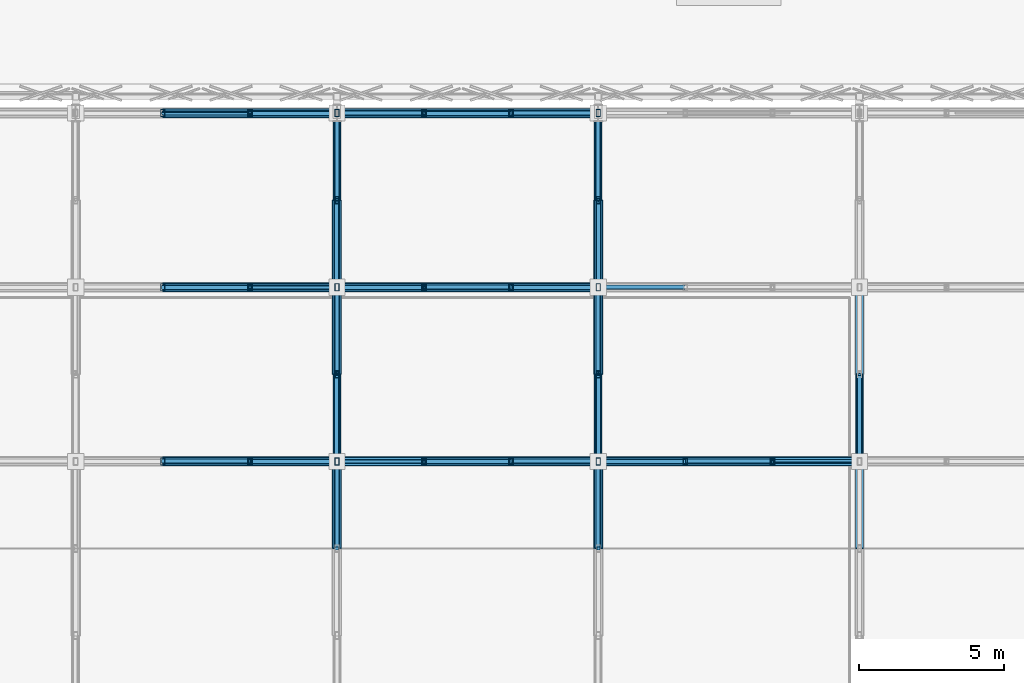
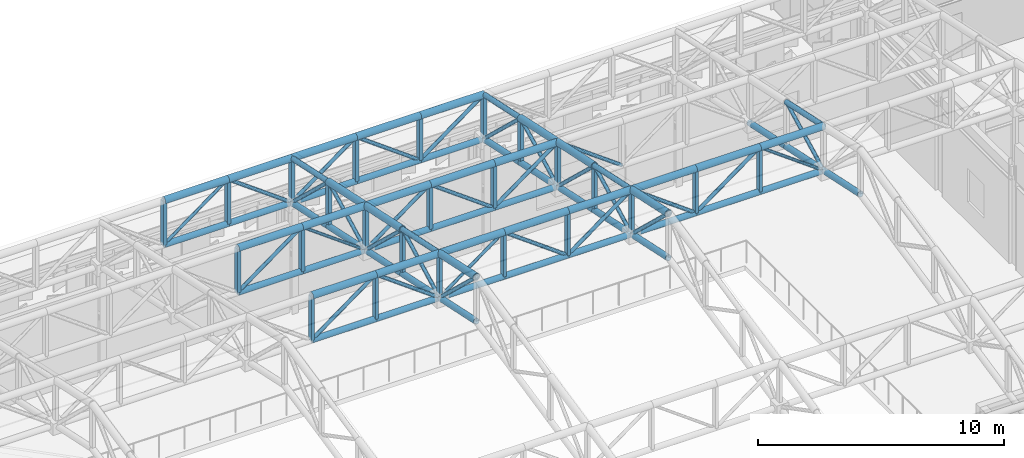
# One storey, part 21 of 112: 114 members.
"""IFC4 building model written with IfcOpenShell, lengths in metres."""

from ifc_helpers import new_model, si_unit, direction, frame, origin, origin_2d, place, context, subcontext, project, spatial, hollow_rectangle, hollow_circle, extrude, material, material_profile, profile_set, type_object, element, save


model = new_model("IFC4")

# Units and contexts
model_context = context("Model", 3, precision=1e-05, world=origin(), true_north=direction((0.0, 1.0)))
body_context = subcontext(model_context, "Body", "Model", "MODEL_VIEW")
ifc_project = project(units=[si_unit("LENGTHUNIT", "METRE"), si_unit("AREAUNIT", "SQUARE_METRE"), si_unit("VOLUMEUNIT", "CUBIC_METRE"), si_unit("PLANEANGLEUNIT", "RADIAN"), si_unit("MASSUNIT", "GRAM", prefix="KILO")], contexts=[model_context])

# Site, building, storey
site_placement = place(None, origin())
site = spatial("IfcSite", under=ifc_project, at=site_placement, CompositionType="ELEMENT")
building_placement = place(site_placement, origin())
building = spatial("IfcBuilding", under=site, at=building_placement, Name="Kaldris Quays Convention Centre", CompositionType="ELEMENT")
storey_placement = place(building_placement, frame((0.0, 0.0, 16.800048828125)))
storey = spatial("IfcBuildingStorey", under=building, at=storey_placement, Name="L03", CompositionType="ELEMENT", Elevation=16.800048828125)

# Members
ifc_material = material(Name="Steel S355J2H", Category="steel")
ifc_material_profile_1 = material_profile(ifc_material, hollow_circle(Radius=0.161865234375, WallThickness=0.01611328125, at=origin_2d()), Name="CHS 323.9x16")
ifc_profile_set_1 = profile_set([ifc_material_profile_1], Name="Steel S355J2H")
member_type_1 = type_object("IfcMemberType", Name="STRUCTURAL MEMBER SC03", PredefinedType="CHORD", material=ifc_profile_set_1)
for number, where, z_axis, x_axis, name in (
    (1, (50.0, 34.0, 10.09033203125), (1.0, 0.0, 0.0), (0.0, 1.0, 0.0), "SF-V3 Top Chord X 53"),
    (2, (53.0, 34.0, 10.09033203125), (1.0, 0.0, 0.0), (0.0, 1.0, 0.0), "SF-V3 Top Chord X 54"),
    (3, (56.0, 34.0, 10.09033203125), (1.0, 0.0, 0.0), (0.0, 1.0, 0.0), "SF-V3 Top Chord X 55"),
    (4, (59.0, 34.0, 10.09033203125), (1.0, 0.0, 0.0), (0.0, 1.0, 0.0), "SF-V3 Top Chord X 56"),
    (5, (62.0, 34.0, 10.09033203125), (1.0, 0.0, 0.0), (0.0, 1.0, 0.0), "SF-V3 Top Chord X 57"),
    (6, (65.0, 34.0, 10.09033203125), (1.0, 0.0, 0.0), (0.0, 1.0, 0.0), "SF-V3 Top Chord X 58"),
    (7, (68.0, 34.0, 10.09033203125), (1.0, 0.0, 0.0), (0.0, 1.0, 0.0), "SF-V3 Top Chord X 59"),
    (8, (71.0, 34.0, 10.09033203125), (1.0, 0.0, 0.0), (0.0, 1.0, 0.0), "SF-V3 Top Chord X 60"),
    (9, (50.0, 40.0, 8.810546875), (1.0, 0.0, 0.0), (0.0, 1.0, 0.0), "SF-V3 Top Chord X 74"),
    (10, (53.0, 40.0, 8.810546875), (1.0, 0.0, 0.0), (0.0, 1.0, 0.0), "SF-V3 Top Chord X 75"),
    (11, (56.0, 40.0, 8.810546875), (1.0, 0.0, 0.0), (0.0, 1.0, 0.0), "SF-V3 Top Chord X 76"),
    (12, (59.0, 40.0, 8.810546875), (1.0, 0.0, 0.0), (0.0, 1.0, 0.0), "SF-V3 Top Chord X 77"),
    (13, (62.0, 40.0, 8.810546875), (1.0, 0.0, 0.0), (0.0, 1.0, 0.0), "SF-V3 Top Chord X 78"),
    (14, (50.0, 46.0, 7.530517578125), (1.0, 0.0, 0.0), (0.0, 1.0, 0.0), "SF-V3 Top Chord X 95"),
    (15, (53.0, 46.0, 7.530517578125), (1.0, 0.0, 0.0), (0.0, 1.0, 0.0), "SF-V3 Top Chord X 96"),
    (16, (56.0, 46.0, 7.530517578125), (1.0, 0.0, 0.0), (0.0, 1.0, 0.0), "SF-V3 Top Chord X 97"),
    (17, (59.0, 46.0, 7.530517578125), (1.0, 0.0, 0.0), (0.0, 1.0, 0.0), "SF-V3 Top Chord X 98"),
    (18, (62.0, 46.0, 7.530517578125), (1.0, 0.0, 0.0), (0.0, 1.0, 0.0), "SF-V3 Top Chord X 99"),
):
    element("IfcMember", number, at=place(storey_placement, frame(where, z_axis=z_axis, x_axis=x_axis)), inside=storey, type_object=member_type_1, Name=name, PredefinedType="CHORD", context=body_context, shape_type="SweptSolid", body=[
        extrude(hollow_circle(Radius=0.161865234375, WallThickness=0.01611328125, at=origin_2d()), origin(), (0.0, 0.0, 1.0), 3.0),
    ])
member_1_placement = place(storey_placement, frame((56.0, 31.0, 10.73046875), z_axis=(0.0, 0.977983741211, -0.20868110103), x_axis=(-1.0, 0.0, 0.0)))
element("IfcMember", 19, at=member_1_placement, inside=storey, type_object=member_type_1, Name="SF-V3 Top Chord Y 151", PredefinedType="CHORD", context=body_context, shape_type="SweptSolid", body=[
    extrude(hollow_circle(Radius=0.161865234375, WallThickness=0.01611328125, at=origin_2d()), origin(), (0.0, 0.0, 1.0), 3.067626953125),
])
member_2_placement = place(storey_placement, frame((56.0, 37.0, 9.450439453125), z_axis=(0.0, 0.977999981478, -0.208604976518), x_axis=(-1.0, 0.0, 0.0)))
element("IfcMember", 20, at=member_2_placement, inside=storey, type_object=member_type_1, Name="SF-V3 Top Chord Y 153", PredefinedType="CHORD", context=body_context, shape_type="SweptSolid", body=[
    extrude(hollow_circle(Radius=0.161865234375, WallThickness=0.01611328125, at=origin_2d()), origin(), (0.0, 0.0, 1.0), 3.0673828125),
])
for number, where, z_axis, x_axis, name in (
    (21, (56.0, 40.0, 8.810546875), (0.0, 0.977983741211, -0.20868110103), (-1.0, 0.0, 0.0), "SF-V3 Top Chord Y 154"),
    (22, (65.0, 31.0, 10.73046875), (0.0, 0.977983741211, -0.20868110103), (-1.0, 0.0, 0.0), "SF-V3 Top Chord Y 161"),
):
    element("IfcMember", number, at=place(storey_placement, frame(where, z_axis=z_axis, x_axis=x_axis)), inside=storey, type_object=member_type_1, Name=name, PredefinedType="CHORD", context=body_context, shape_type="SweptSolid", body=[
        extrude(hollow_circle(Radius=0.161865234375, WallThickness=0.01611328125, at=origin_2d()), origin(), (0.0, 0.0, 1.0), 3.067626953125),
    ])
member_3_placement = place(storey_placement, frame((65.0, 37.0, 9.450439453125), z_axis=(0.0, 0.977999981478, -0.208604976518), x_axis=(-1.0, 0.0, 0.0)))
element("IfcMember", 23, at=member_3_placement, inside=storey, type_object=member_type_1, Name="SF-V3 Top Chord Y 163", PredefinedType="CHORD", context=body_context, shape_type="SweptSolid", body=[
    extrude(hollow_circle(Radius=0.161865234375, WallThickness=0.01611328125, at=origin_2d()), origin(), (0.0, 0.0, 1.0), 3.0673828125),
])
member_4_placement = place(storey_placement, frame((65.0, 40.0, 8.810546875), z_axis=(0.0, 0.977983741211, -0.20868110103), x_axis=(-1.0, 0.0, 0.0)))
element("IfcMember", 24, at=member_4_placement, inside=storey, type_object=member_type_1, Name="SF-V3 Top Chord Y 164", PredefinedType="CHORD", context=body_context, shape_type="SweptSolid", body=[
    extrude(hollow_circle(Radius=0.161865234375, WallThickness=0.01611328125, at=origin_2d()), origin(), (0.0, 0.0, 1.0), 3.067626953125),
])
ifc_material_profile_2 = material_profile(ifc_material, hollow_circle(Radius=0.136474609375, WallThickness=0.012451171875, at=origin_2d()), Name="CHS 273x12.5")
ifc_profile_set_2 = profile_set([ifc_material_profile_2], Name="Steel S355J2H")
member_type_2 = type_object("IfcMemberType", Name="STRUCTURAL MEMBER SC04", PredefinedType="CHORD", material=ifc_profile_set_2)
for number, where, z_axis, x_axis, name in (
    (25, (50.0, 34.0, 7.890380859375), (1.0, 0.0, 0.0), (0.0, 1.0, 0.0), "SF-V3 Bottom Chord X 53"),
    (26, (53.0, 34.0, 7.890380859375), (1.0, 0.0, 0.0), (0.0, 1.0, 0.0), "SF-V3 Bottom Chord X 54"),
    (27, (56.0, 34.0, 7.890380859375), (1.0, 0.0, 0.0), (0.0, 1.0, 0.0), "SF-V3 Bottom Chord X 55"),
    (28, (59.0, 34.0, 7.890380859375), (1.0, 0.0, 0.0), (0.0, 1.0, 0.0), "SF-V3 Bottom Chord X 56"),
    (29, (62.0, 34.0, 7.890380859375), (1.0, 0.0, 0.0), (0.0, 1.0, 0.0), "SF-V3 Bottom Chord X 57"),
    (30, (65.0, 34.0, 7.890380859375), (1.0, 0.0, 0.0), (0.0, 1.0, 0.0), "SF-V3 Bottom Chord X 58"),
    (31, (68.0, 34.0, 7.890380859375), (1.0, 0.0, 0.0), (0.0, 1.0, 0.0), "SF-V3 Bottom Chord X 59"),
    (32, (71.0, 34.0, 7.890380859375), (1.0, 0.0, 0.0), (0.0, 1.0, 0.0), "SF-V3 Bottom Chord X 60"),
    (33, (50.0, 40.0, 6.6103515625), (1.0, 0.0, 0.0), (0.0, 1.0, 0.0), "SF-V3 Bottom Chord X 74"),
    (34, (53.0, 40.0, 6.6103515625), (1.0, 0.0, 0.0), (0.0, 1.0, 0.0), "SF-V3 Bottom Chord X 75"),
    (35, (56.0, 40.0, 6.6103515625), (1.0, 0.0, 0.0), (0.0, 1.0, 0.0), "SF-V3 Bottom Chord X 76"),
    (36, (59.0, 40.0, 6.6103515625), (1.0, 0.0, 0.0), (0.0, 1.0, 0.0), "SF-V3 Bottom Chord X 77"),
    (37, (62.0, 40.0, 6.6103515625), (1.0, 0.0, 0.0), (0.0, 1.0, 0.0), "SF-V3 Bottom Chord X 78"),
    (38, (50.0, 46.0, 5.33056640625), (1.0, 0.0, 0.0), (0.0, 1.0, 0.0), "SF-V3 Bottom Chord X 95"),
    (39, (53.0, 46.0, 5.33056640625), (1.0, 0.0, 0.0), (0.0, 1.0, 0.0), "SF-V3 Bottom Chord X 96"),
    (40, (56.0, 46.0, 5.33056640625), (1.0, 0.0, 0.0), (0.0, 1.0, 0.0), "SF-V3 Bottom Chord X 97"),
    (41, (59.0, 46.0, 5.33056640625), (1.0, 0.0, 0.0), (0.0, 1.0, 0.0), "SF-V3 Bottom Chord X 98"),
    (42, (62.0, 46.0, 5.33056640625), (1.0, 0.0, 0.0), (0.0, 1.0, 0.0), "SF-V3 Bottom Chord X 99"),
):
    element("IfcMember", number, at=place(storey_placement, frame(where, z_axis=z_axis, x_axis=x_axis)), inside=storey, type_object=member_type_2, Name=name, PredefinedType="CHORD", context=body_context, shape_type="SweptSolid", body=[
        extrude(hollow_circle(Radius=0.136474609375, WallThickness=0.012451171875, at=origin_2d()), origin(), (0.0, 0.0, 1.0), 3.0),
    ])
member_5_placement = place(storey_placement, frame((56.0, 31.0, 8.530517578125), z_axis=(0.0, 0.977983741211, -0.20868110103), x_axis=(-1.0, 0.0, 0.0)))
element("IfcMember", 43, at=member_5_placement, inside=storey, type_object=member_type_2, Name="SF-V3 Bottom Chord Y 151", PredefinedType="CHORD", context=body_context, shape_type="SweptSolid", body=[
    extrude(hollow_circle(Radius=0.136474609375, WallThickness=0.012451171875, at=origin_2d()), origin(), (0.0, 0.0, 1.0), 3.067626953125),
])
member_6_placement = place(storey_placement, frame((56.0, 34.0, 7.890380859375), z_axis=(0.0, 0.977999981478, -0.208604976518), x_axis=(-1.0, 0.0, 0.0)))
element("IfcMember", 44, at=member_6_placement, inside=storey, type_object=member_type_2, Name="SF-V3 Bottom Chord Y 152", PredefinedType="CHORD", context=body_context, shape_type="SweptSolid", body=[
    extrude(hollow_circle(Radius=0.136474609375, WallThickness=0.012451171875, at=origin_2d()), origin(), (0.0, 0.0, 1.0), 3.0673828125),
])
member_7_placement = place(storey_placement, frame((56.0, 37.0, 7.25048828125), z_axis=(0.0, 0.977983741211, -0.20868110103), x_axis=(-1.0, 0.0, 0.0)))
element("IfcMember", 45, at=member_7_placement, inside=storey, type_object=member_type_2, Name="SF-V3 Bottom Chord Y 153", PredefinedType="CHORD", context=body_context, shape_type="SweptSolid", body=[
    extrude(hollow_circle(Radius=0.136474609375, WallThickness=0.012451171875, at=origin_2d()), origin(), (0.0, 0.0, 1.0), 3.067626953125),
])
for number, where, z_axis, x_axis, name in (
    (46, (56.0, 40.0, 6.6103515625), (0.0, 0.977999981478, -0.208604976518), (-1.0, 0.0, 0.0), "SF-V3 Bottom Chord Y 154"),
    (47, (56.0, 43.0, 5.970458984375), (0.0, 0.977999981478, -0.208604976518), (-1.0, 0.0, 0.0), "SF-V3 Bottom Chord Y 155"),
):
    element("IfcMember", number, at=place(storey_placement, frame(where, z_axis=z_axis, x_axis=x_axis)), inside=storey, type_object=member_type_2, Name=name, PredefinedType="CHORD", context=body_context, shape_type="SweptSolid", body=[
        extrude(hollow_circle(Radius=0.136474609375, WallThickness=0.012451171875, at=origin_2d()), origin(), (0.0, 0.0, 1.0), 3.0673828125),
    ])
member_8_placement = place(storey_placement, frame((65.0, 31.0, 8.530517578125), z_axis=(0.0, 0.977983741211, -0.20868110103), x_axis=(-1.0, 0.0, 0.0)))
element("IfcMember", 48, at=member_8_placement, inside=storey, type_object=member_type_2, Name="SF-V3 Bottom Chord Y 161", PredefinedType="CHORD", context=body_context, shape_type="SweptSolid", body=[
    extrude(hollow_circle(Radius=0.136474609375, WallThickness=0.012451171875, at=origin_2d()), origin(), (0.0, 0.0, 1.0), 3.067626953125),
])
member_9_placement = place(storey_placement, frame((65.0, 34.0, 7.890380859375), z_axis=(0.0, 0.977999981478, -0.208604976518), x_axis=(-1.0, 0.0, 0.0)))
element("IfcMember", 49, at=member_9_placement, inside=storey, type_object=member_type_2, Name="SF-V3 Bottom Chord Y 162", PredefinedType="CHORD", context=body_context, shape_type="SweptSolid", body=[
    extrude(hollow_circle(Radius=0.136474609375, WallThickness=0.012451171875, at=origin_2d()), origin(), (0.0, 0.0, 1.0), 3.0673828125),
])
member_10_placement = place(storey_placement, frame((65.0, 37.0, 7.25048828125), z_axis=(0.0, 0.977983741211, -0.20868110103), x_axis=(-1.0, 0.0, 0.0)))
element("IfcMember", 50, at=member_10_placement, inside=storey, type_object=member_type_2, Name="SF-V3 Bottom Chord Y 163", PredefinedType="CHORD", context=body_context, shape_type="SweptSolid", body=[
    extrude(hollow_circle(Radius=0.136474609375, WallThickness=0.012451171875, at=origin_2d()), origin(), (0.0, 0.0, 1.0), 3.067626953125),
])
for number, where, z_axis, x_axis, name in (
    (51, (65.0, 40.0, 6.6103515625), (0.0, 0.977999981478, -0.208604976518), (-1.0, 0.0, 0.0), "SF-V3 Bottom Chord Y 164"),
    (52, (65.0, 43.0, 5.970458984375), (0.0, 0.977999981478, -0.208604976518), (-1.0, 0.0, 0.0), "SF-V3 Bottom Chord Y 165"),
):
    element("IfcMember", number, at=place(storey_placement, frame(where, z_axis=z_axis, x_axis=x_axis)), inside=storey, type_object=member_type_2, Name=name, PredefinedType="CHORD", context=body_context, shape_type="SweptSolid", body=[
        extrude(hollow_circle(Radius=0.136474609375, WallThickness=0.012451171875, at=origin_2d()), origin(), (0.0, 0.0, 1.0), 3.0673828125),
    ])
member_11_placement = place(storey_placement, frame((74.0, 31.0, 8.530517578125), z_axis=(0.0, 0.977983741211, -0.20868110103), x_axis=(-1.0, 0.0, 0.0)))
element("IfcMember", 53, at=member_11_placement, inside=storey, type_object=member_type_2, Name="SF-V3 Bottom Chord Y 171", PredefinedType="CHORD", context=body_context, shape_type="SweptSolid", body=[
    extrude(hollow_circle(Radius=0.136474609375, WallThickness=0.012451171875, at=origin_2d()), origin(), (0.0, 0.0, 1.0), 3.067626953125),
])
member_12_placement = place(storey_placement, frame((74.0, 34.0, 7.890380859375), z_axis=(0.0, 0.977999981478, -0.208604976518), x_axis=(-1.0, 0.0, 0.0)))
element("IfcMember", 54, at=member_12_placement, inside=storey, type_object=member_type_2, Name="SF-V3 Bottom Chord Y 172", PredefinedType="CHORD", context=body_context, shape_type="SweptSolid", body=[
    extrude(hollow_circle(Radius=0.136474609375, WallThickness=0.012451171875, at=origin_2d()), origin(), (0.0, 0.0, 1.0), 3.0673828125),
])
member_13_placement = place(storey_placement, frame((74.0, 37.0, 7.25048828125), z_axis=(0.0, 0.977983741211, -0.20868110103), x_axis=(-1.0, 0.0, 0.0)))
element("IfcMember", 55, at=member_13_placement, inside=storey, type_object=member_type_2, Name="SF-V3 Bottom Chord Y 173", PredefinedType="CHORD", context=body_context, shape_type="SweptSolid", body=[
    extrude(hollow_circle(Radius=0.136474609375, WallThickness=0.012451171875, at=origin_2d()), origin(), (0.0, 0.0, 1.0), 3.067626953125),
])
ifc_material_profile_3 = material_profile(ifc_material, hollow_circle(Radius=0.122314453125, WallThickness=0.010009765625, at=origin_2d()), Name="CHS 244.5x10")
ifc_profile_set_3 = profile_set([ifc_material_profile_3], Name="Steel S355J2H")
member_type_3 = type_object("IfcMemberType", Name="STRUCTURAL MEMBER SC05", PredefinedType="CHORD", material=ifc_profile_set_3)
for number, where, z_axis, x_axis, name in (
    (56, (56.0, 34.0, 10.09033203125), (0.0, 0.977999981478, -0.208604976518), (-1.0, 0.0, 0.0), "SF-V3 Top Chord Y 152"),
    (57, (56.0, 43.0, 8.17041015625), (0.0, 0.977999981478, -0.208604976518), (-1.0, 0.0, 0.0), "SF-V3 Top Chord Y 155"),
    (58, (65.0, 34.0, 10.09033203125), (0.0, 0.977999981478, -0.208604976518), (-1.0, 0.0, 0.0), "SF-V3 Top Chord Y 162"),
    (59, (65.0, 43.0, 8.17041015625), (0.0, 0.977999981478, -0.208604976518), (-1.0, 0.0, 0.0), "SF-V3 Top Chord Y 165"),
    (60, (74.0, 34.0, 10.09033203125), (0.0, 0.977999981478, -0.208604976518), (-1.0, 0.0, 0.0), "SF-V3 Top Chord Y 172"),
):
    element("IfcMember", number, at=place(storey_placement, frame(where, z_axis=z_axis, x_axis=x_axis)), inside=storey, type_object=member_type_3, Name=name, PredefinedType="CHORD", context=body_context, shape_type="SweptSolid", body=[
        extrude(hollow_circle(Radius=0.122314453125, WallThickness=0.010009765625, at=origin_2d()), origin(), (0.0, 0.0, 1.0), 3.0673828125),
    ])
ifc_material_profile_4 = material_profile(ifc_material, hollow_circle(Radius=0.084228515625, WallThickness=0.008056640625, at=origin_2d()), Name="CHS 168.3x8")
ifc_profile_set_4 = profile_set([ifc_material_profile_4], Name="Steel S355J2H")
member_type_4 = type_object("IfcMemberType", Name="STRUCTURAL MEMBER SWB2", PredefinedType="BRACE", material=ifc_profile_set_4)
for number, where, z_axis, x_axis, name in (
    (61, (50.0, 34.0, 7.890380859375), (0.80641125493, 0.0, 0.591355128432), (0.0, 1.0, 0.0), "SF-V3 Web Diagonal X 53"),
    (62, (56.0, 34.0, 7.890380859375), (-0.80641125493, 0.0, 0.591355128432), (0.0, -1.0, 0.0), "SF-V3 Web Diagonal X 54"),
    (63, (62.0, 34.0, 7.890380859375), (-0.80641125493, 0.0, 0.591355128432), (0.0, -1.0, 0.0), "SF-V3 Web Diagonal X 56"),
    (64, (62.0, 34.0, 7.890380859375), (0.80641125493, 0.0, 0.591355128432), (0.0, 1.0, 0.0), "SF-V3 Web Diagonal X 57"),
    (65, (68.0, 34.0, 7.890380859375), (-0.80641125493, 0.0, 0.591355128432), (0.0, -1.0, 0.0), "SF-V3 Web Diagonal X 58"),
    (66, (68.0, 34.0, 7.890380859375), (0.80641125493, 0.0, 0.591355128432), (0.0, 1.0, 0.0), "SF-V3 Web Diagonal X 59"),
    (67, (50.0, 40.0, 6.6103515625), (0.806379959628, 0.0, 0.591397802423), (0.0, 1.0, 0.0), "SF-V3 Web Diagonal X 74"),
    (68, (56.0, 40.0, 6.6103515625), (0.806379959628, 0.0, 0.591397802423), (0.0, 1.0, 0.0), "SF-V3 Web Diagonal X 76"),
    (69, (62.0, 40.0, 6.6103515625), (-0.806379959628, 0.0, 0.591397802423), (0.0, -1.0, 0.0), "SF-V3 Web Diagonal X 77"),
    (70, (62.0, 40.0, 6.6103515625), (0.806379959628, 0.0, 0.591397802423), (0.0, 1.0, 0.0), "SF-V3 Web Diagonal X 78"),
    (71, (68.0, 40.0, 6.6103515625), (-0.806379959628, 0.0, 0.591397802423), (0.0, -1.0, 0.0), "SF-V3 Web Diagonal X 79"),
    (72, (56.0, 46.0, 5.33056640625), (-0.80641125493, 0.0, 0.591355128432), (0.0, -1.0, 0.0), "SF-V3 Web Diagonal X 96"),
    (73, (56.0, 46.0, 5.33056640625), (0.80641125493, 0.0, 0.591355128432), (0.0, 1.0, 0.0), "SF-V3 Web Diagonal X 97"),
    (74, (62.0, 46.0, 5.33056640625), (-0.80641125493, 0.0, 0.591355128432), (0.0, -1.0, 0.0), "SF-V3 Web Diagonal X 98"),
    (75, (62.0, 46.0, 5.33056640625), (0.80641125493, 0.0, 0.591355128432), (0.0, 1.0, 0.0), "SF-V3 Web Diagonal X 99"),
):
    element("IfcMember", number, at=place(storey_placement, frame(where, z_axis=z_axis, x_axis=x_axis)), inside=storey, type_object=member_type_4, Name=name, PredefinedType="BRACE", context=body_context, shape_type="SweptSolid", body=[
        extrude(hollow_circle(Radius=0.084228515625, WallThickness=0.008056640625, at=origin_2d()), origin(), (0.0, 0.0, 1.0), 3.72021484375),
    ])
member_14_placement = place(storey_placement, frame((56.0, 34.0, 7.890380859375), z_axis=(0.0, -0.726196449967, 0.687487247922), x_axis=(1.0, 0.0, 0.0)))
element("IfcMember", 76, at=member_14_placement, inside=storey, type_object=member_type_4, Name="SF-V3 Web Diagonal Y 151", PredefinedType="BRACE", context=body_context, shape_type="SweptSolid", body=[
    extrude(hollow_circle(Radius=0.084228515625, WallThickness=0.008056640625, at=origin_2d()), origin(), (0.0, 0.0, 1.0), 4.131103515625),
])
member_15_placement = place(storey_placement, frame((56.0, 34.0, 7.890380859375), z_axis=(0.0, 0.887209708306, 0.461366376634), x_axis=(-1.0, 0.0, 0.0)))
element("IfcMember", 77, at=member_15_placement, inside=storey, type_object=member_type_4, Name="SF-V3 Web Diagonal Y 152", PredefinedType="BRACE", context=body_context, shape_type="SweptSolid", body=[
    extrude(hollow_circle(Radius=0.084228515625, WallThickness=0.008056640625, at=origin_2d()), origin(), (0.0, 0.0, 1.0), 3.38134765625),
])
member_16_placement = place(storey_placement, frame((56.0, 40.0, 6.6103515625), z_axis=(0.0, -0.726196449967, 0.687487247922), x_axis=(1.0, 0.0, 0.0)))
element("IfcMember", 78, at=member_16_placement, inside=storey, type_object=member_type_4, Name="SF-V3 Web Diagonal Y 153", PredefinedType="BRACE", context=body_context, shape_type="SweptSolid", body=[
    extrude(hollow_circle(Radius=0.084228515625, WallThickness=0.008056640625, at=origin_2d()), origin(), (0.0, 0.0, 1.0), 4.131103515625),
])
member_17_placement = place(storey_placement, frame((56.0, 40.0, 6.6103515625), z_axis=(0.0, 0.887209708306, 0.461366376634), x_axis=(-1.0, 0.0, 0.0)))
element("IfcMember", 79, at=member_17_placement, inside=storey, type_object=member_type_4, Name="SF-V3 Web Diagonal Y 154", PredefinedType="BRACE", context=body_context, shape_type="SweptSolid", body=[
    extrude(hollow_circle(Radius=0.084228515625, WallThickness=0.008056640625, at=origin_2d()), origin(), (0.0, 0.0, 1.0), 3.38134765625),
])
member_18_placement = place(storey_placement, frame((56.0, 46.0, 5.33056640625), z_axis=(0.0, -0.72622595523, 0.687456080016), x_axis=(1.0, 0.0, 0.0)))
element("IfcMember", 80, at=member_18_placement, inside=storey, type_object=member_type_4, Name="SF-V3 Web Diagonal Y 155", PredefinedType="BRACE", context=body_context, shape_type="SweptSolid", body=[
    extrude(hollow_circle(Radius=0.084228515625, WallThickness=0.008056640625, at=origin_2d()), origin(), (0.0, 0.0, 1.0), 4.130859375),
])
member_19_placement = place(storey_placement, frame((65.0, 34.0, 7.890380859375), z_axis=(0.0, -0.726196449967, 0.687487247922), x_axis=(1.0, 0.0, 0.0)))
element("IfcMember", 81, at=member_19_placement, inside=storey, type_object=member_type_4, Name="SF-V3 Web Diagonal Y 161", PredefinedType="BRACE", context=body_context, shape_type="SweptSolid", body=[
    extrude(hollow_circle(Radius=0.084228515625, WallThickness=0.008056640625, at=origin_2d()), origin(), (0.0, 0.0, 1.0), 4.131103515625),
])
member_20_placement = place(storey_placement, frame((65.0, 34.0, 7.890380859375), z_axis=(0.0, 0.887209708306, 0.461366376634), x_axis=(-1.0, 0.0, 0.0)))
element("IfcMember", 82, at=member_20_placement, inside=storey, type_object=member_type_4, Name="SF-V3 Web Diagonal Y 162", PredefinedType="BRACE", context=body_context, shape_type="SweptSolid", body=[
    extrude(hollow_circle(Radius=0.084228515625, WallThickness=0.008056640625, at=origin_2d()), origin(), (0.0, 0.0, 1.0), 3.38134765625),
])
member_21_placement = place(storey_placement, frame((65.0, 40.0, 6.6103515625), z_axis=(0.0, -0.726196449967, 0.687487247922), x_axis=(1.0, 0.0, 0.0)))
element("IfcMember", 83, at=member_21_placement, inside=storey, type_object=member_type_4, Name="SF-V3 Web Diagonal Y 163", PredefinedType="BRACE", context=body_context, shape_type="SweptSolid", body=[
    extrude(hollow_circle(Radius=0.084228515625, WallThickness=0.008056640625, at=origin_2d()), origin(), (0.0, 0.0, 1.0), 4.131103515625),
])
member_22_placement = place(storey_placement, frame((65.0, 40.0, 6.6103515625), z_axis=(0.0, 0.887209708306, 0.461366376634), x_axis=(-1.0, 0.0, 0.0)))
element("IfcMember", 84, at=member_22_placement, inside=storey, type_object=member_type_4, Name="SF-V3 Web Diagonal Y 164", PredefinedType="BRACE", context=body_context, shape_type="SweptSolid", body=[
    extrude(hollow_circle(Radius=0.084228515625, WallThickness=0.008056640625, at=origin_2d()), origin(), (0.0, 0.0, 1.0), 3.38134765625),
])
member_23_placement = place(storey_placement, frame((65.0, 46.0, 5.33056640625), z_axis=(0.0, -0.72622595523, 0.687456080016), x_axis=(1.0, 0.0, 0.0)))
element("IfcMember", 85, at=member_23_placement, inside=storey, type_object=member_type_4, Name="SF-V3 Web Diagonal Y 165", PredefinedType="BRACE", context=body_context, shape_type="SweptSolid", body=[
    extrude(hollow_circle(Radius=0.084228515625, WallThickness=0.008056640625, at=origin_2d()), origin(), (0.0, 0.0, 1.0), 4.130859375),
])
member_24_placement = place(storey_placement, frame((74.0, 34.0, 7.890380859375), z_axis=(0.0, 0.887209708306, 0.461366376634), x_axis=(-1.0, 0.0, 0.0)))
element("IfcMember", 86, at=member_24_placement, inside=storey, type_object=member_type_4, Name="SF-V3 Web Diagonal Y 172", PredefinedType="BRACE", context=body_context, shape_type="SweptSolid", body=[
    extrude(hollow_circle(Radius=0.084228515625, WallThickness=0.008056640625, at=origin_2d()), origin(), (0.0, 0.0, 1.0), 3.38134765625),
])
ifc_material_profile_5 = material_profile(ifc_material, hollow_circle(Radius=0.06982421875, WallThickness=0.00634765625, at=origin_2d()), Name="CHS 139.7x6.3")
ifc_profile_set_5 = profile_set([ifc_material_profile_5], Name="Steel S355J2H")
member_type_5 = type_object("IfcMemberType", Name="STRUCTURAL MEMBER SWB4", PredefinedType="BRACE", material=ifc_profile_set_5)
for number, where, z_axis, x_axis, name in (
    (87, (56.0, 34.0, 7.890380859375), (0.80641125493, 0.0, 0.591355128432), (0.0, 1.0, 0.0), "SF-V3 Web Diagonal X 55"),
    (88, (74.0, 34.0, 7.890380859375), (-0.80641125493, 0.0, 0.591355128432), (0.0, -1.0, 0.0), "SF-V3 Web Diagonal X 60"),
    (89, (56.0, 40.0, 6.6103515625), (-0.806379959628, 0.0, 0.591397802423), (0.0, -1.0, 0.0), "SF-V3 Web Diagonal X 75"),
    (90, (50.0, 46.0, 5.33056640625), (0.80641125493, 0.0, 0.591355128432), (0.0, 1.0, 0.0), "SF-V3 Web Diagonal X 95"),
):
    element("IfcMember", number, at=place(storey_placement, frame(where, z_axis=z_axis, x_axis=x_axis)), inside=storey, type_object=member_type_5, Name=name, PredefinedType="BRACE", context=body_context, shape_type="SweptSolid", body=[
        extrude(hollow_circle(Radius=0.06982421875, WallThickness=0.00634765625, at=origin_2d()), origin(), (0.0, 0.0, 1.0), 3.72021484375),
    ])
ifc_material_profile_6 = material_profile(ifc_material, hollow_rectangle(XDim=0.14990234375, YDim=0.25, WallThickness=0.010009765625, at=origin_2d()), Name="RHS 250x150x10")
ifc_profile_set_6 = profile_set([ifc_material_profile_6], Name="Steel S355J2H")
member_type_6 = type_object("IfcMemberType", Name="STRUCTURAL MEMBER TTV1", PredefinedType="POST", material=ifc_profile_set_6)
member_25_placement = place(storey_placement, frame((50.0, 34.0, 7.890380859375), z_axis=(0.0, 0.0, 1.0), x_axis=(1.0, 0.0, 0.0)))
element("IfcMember", 91, at=member_25_placement, inside=storey, type_object=member_type_6, Name="SF-V3 Space-Frame Post 77", PredefinedType="POST", context=body_context, shape_type="SweptSolid", body=[
    extrude(hollow_rectangle(XDim=0.14990234375, YDim=0.25, WallThickness=0.010009765625, at=origin_2d()), origin(), (0.0, 0.0, 1.0), 2.199951171875),
])
member_26_placement = place(storey_placement, frame((50.0, 40.0, 6.6103515625), z_axis=(0.0, 0.0, 1.0), x_axis=(1.0, 0.0, 0.0)))
element("IfcMember", 92, at=member_26_placement, inside=storey, type_object=member_type_6, Name="SF-V3 Space-Frame Post 78", PredefinedType="POST", context=body_context, shape_type="SweptSolid", body=[
    extrude(hollow_rectangle(XDim=0.14990234375, YDim=0.25, WallThickness=0.010009765625, at=origin_2d()), origin(), (0.0, 0.0, 1.0), 2.2001953125),
])
for number, where, z_axis, x_axis, name in (
    (93, (50.0, 46.0, 5.33056640625), (0.0, 0.0, 1.0), (1.0, 0.0, 0.0), "SF-V3 Space-Frame Post 79"),
    (94, (53.0, 34.0, 7.890380859375), (0.0, 0.0, 1.0), (1.0, 0.0, 0.0), "SF-V3 Space-Frame Post 82"),
):
    element("IfcMember", number, at=place(storey_placement, frame(where, z_axis=z_axis, x_axis=x_axis)), inside=storey, type_object=member_type_6, Name=name, PredefinedType="POST", context=body_context, shape_type="SweptSolid", body=[
        extrude(hollow_rectangle(XDim=0.14990234375, YDim=0.25, WallThickness=0.010009765625, at=origin_2d()), origin(), (0.0, 0.0, 1.0), 2.199951171875),
    ])
member_27_placement = place(storey_placement, frame((53.0, 40.0, 6.6103515625), z_axis=(0.0, 0.0, 1.0), x_axis=(1.0, 0.0, 0.0)))
element("IfcMember", 95, at=member_27_placement, inside=storey, type_object=member_type_6, Name="SF-V3 Space-Frame Post 83", PredefinedType="POST", context=body_context, shape_type="SweptSolid", body=[
    extrude(hollow_rectangle(XDim=0.14990234375, YDim=0.25, WallThickness=0.010009765625, at=origin_2d()), origin(), (0.0, 0.0, 1.0), 2.2001953125),
])
for number, where, z_axis, x_axis, name in (
    (96, (53.0, 46.0, 5.33056640625), (0.0, 0.0, 1.0), (1.0, 0.0, 0.0), "SF-V3 Space-Frame Post 84"),
    (97, (56.0, 34.0, 7.890380859375), (0.0, 0.0, 1.0), (1.0, 0.0, 0.0), "SF-V3 Space-Frame Post 91"),
    (98, (56.0, 37.0, 7.25048828125), (0.0, 0.0, 1.0), (1.0, 0.0, 0.0), "SF-V3 Space-Frame Post 92"),
):
    element("IfcMember", number, at=place(storey_placement, frame(where, z_axis=z_axis, x_axis=x_axis)), inside=storey, type_object=member_type_6, Name=name, PredefinedType="POST", context=body_context, shape_type="SweptSolid", body=[
        extrude(hollow_rectangle(XDim=0.14990234375, YDim=0.25, WallThickness=0.010009765625, at=origin_2d()), origin(), (0.0, 0.0, 1.0), 2.199951171875),
    ])
member_28_placement = place(storey_placement, frame((56.0, 40.0, 6.6103515625), z_axis=(0.0, 0.0, 1.0), x_axis=(1.0, 0.0, 0.0)))
element("IfcMember", 99, at=member_28_placement, inside=storey, type_object=member_type_6, Name="SF-V3 Space-Frame Post 93", PredefinedType="POST", context=body_context, shape_type="SweptSolid", body=[
    extrude(hollow_rectangle(XDim=0.14990234375, YDim=0.25, WallThickness=0.010009765625, at=origin_2d()), origin(), (0.0, 0.0, 1.0), 2.2001953125),
])
member_29_placement = place(storey_placement, frame((56.0, 43.0, 5.970458984375), z_axis=(0.0, 0.0, 1.0), x_axis=(1.0, 0.0, 0.0)))
element("IfcMember", 100, at=member_29_placement, inside=storey, type_object=member_type_6, Name="SF-V3 Space-Frame Post 94", PredefinedType="POST", context=body_context, shape_type="SweptSolid", body=[
    extrude(hollow_rectangle(XDim=0.14990234375, YDim=0.25, WallThickness=0.010009765625, at=origin_2d()), origin(), (0.0, 0.0, 1.0), 2.199951171875),
])
member_30_placement = place(storey_placement, frame((56.0, 46.0, 5.19384765625), z_axis=(0.0, 0.0, 1.0), x_axis=(1.0, 0.0, 0.0)))
element("IfcMember", 101, at=member_30_placement, inside=storey, type_object=member_type_6, Name="SF-V3 Space-Frame Post 95", PredefinedType="POST", context=body_context, shape_type="SweptSolid", body=[
    extrude(hollow_rectangle(XDim=0.14990234375, YDim=0.25, WallThickness=0.010009765625, at=origin_2d()), origin(), (0.0, 0.0, 1.0), 2.336669921875),
])
member_31_placement = place(storey_placement, frame((59.0, 34.0, 7.890380859375), z_axis=(0.0, 0.0, 1.0), x_axis=(1.0, 0.0, 0.0)))
element("IfcMember", 102, at=member_31_placement, inside=storey, type_object=member_type_6, Name="SF-V3 Space-Frame Post 98", PredefinedType="POST", context=body_context, shape_type="SweptSolid", body=[
    extrude(hollow_rectangle(XDim=0.14990234375, YDim=0.25, WallThickness=0.010009765625, at=origin_2d()), origin(), (0.0, 0.0, 1.0), 2.199951171875),
])
member_32_placement = place(storey_placement, frame((59.0, 40.0, 6.6103515625), z_axis=(0.0, 0.0, 1.0), x_axis=(1.0, 0.0, 0.0)))
element("IfcMember", 103, at=member_32_placement, inside=storey, type_object=member_type_6, Name="SF-V3 Space-Frame Post 99", PredefinedType="POST", context=body_context, shape_type="SweptSolid", body=[
    extrude(hollow_rectangle(XDim=0.14990234375, YDim=0.25, WallThickness=0.010009765625, at=origin_2d()), origin(), (0.0, 0.0, 1.0), 2.2001953125),
])
for number, where, z_axis, x_axis, name in (
    (104, (59.0, 46.0, 5.33056640625), (0.0, 0.0, 1.0), (1.0, 0.0, 0.0), "SF-V3 Space-Frame Post 100"),
    (105, (62.0, 34.0, 7.890380859375), (0.0, 0.0, 1.0), (1.0, 0.0, 0.0), "SF-V3 Space-Frame Post 103"),
):
    element("IfcMember", number, at=place(storey_placement, frame(where, z_axis=z_axis, x_axis=x_axis)), inside=storey, type_object=member_type_6, Name=name, PredefinedType="POST", context=body_context, shape_type="SweptSolid", body=[
        extrude(hollow_rectangle(XDim=0.14990234375, YDim=0.25, WallThickness=0.010009765625, at=origin_2d()), origin(), (0.0, 0.0, 1.0), 2.199951171875),
    ])
member_33_placement = place(storey_placement, frame((62.0, 40.0, 6.6103515625), z_axis=(0.0, 0.0, 1.0), x_axis=(1.0, 0.0, 0.0)))
element("IfcMember", 106, at=member_33_placement, inside=storey, type_object=member_type_6, Name="SF-V3 Space-Frame Post 104", PredefinedType="POST", context=body_context, shape_type="SweptSolid", body=[
    extrude(hollow_rectangle(XDim=0.14990234375, YDim=0.25, WallThickness=0.010009765625, at=origin_2d()), origin(), (0.0, 0.0, 1.0), 2.2001953125),
])
for number, where, z_axis, x_axis, name in (
    (107, (62.0, 46.0, 5.33056640625), (0.0, 0.0, 1.0), (1.0, 0.0, 0.0), "SF-V3 Space-Frame Post 105"),
    (108, (65.0, 34.0, 7.890380859375), (0.0, 0.0, 1.0), (1.0, 0.0, 0.0), "SF-V3 Space-Frame Post 112"),
    (109, (65.0, 37.0, 7.25048828125), (0.0, 0.0, 1.0), (1.0, 0.0, 0.0), "SF-V3 Space-Frame Post 113"),
):
    element("IfcMember", number, at=place(storey_placement, frame(where, z_axis=z_axis, x_axis=x_axis)), inside=storey, type_object=member_type_6, Name=name, PredefinedType="POST", context=body_context, shape_type="SweptSolid", body=[
        extrude(hollow_rectangle(XDim=0.14990234375, YDim=0.25, WallThickness=0.010009765625, at=origin_2d()), origin(), (0.0, 0.0, 1.0), 2.199951171875),
    ])
member_34_placement = place(storey_placement, frame((65.0, 40.0, 6.6103515625), z_axis=(0.0, 0.0, 1.0), x_axis=(1.0, 0.0, 0.0)))
element("IfcMember", 110, at=member_34_placement, inside=storey, type_object=member_type_6, Name="SF-V3 Space-Frame Post 114", PredefinedType="POST", context=body_context, shape_type="SweptSolid", body=[
    extrude(hollow_rectangle(XDim=0.14990234375, YDim=0.25, WallThickness=0.010009765625, at=origin_2d()), origin(), (0.0, 0.0, 1.0), 2.2001953125),
])
member_35_placement = place(storey_placement, frame((65.0, 43.0, 5.970458984375), z_axis=(0.0, 0.0, 1.0), x_axis=(1.0, 0.0, 0.0)))
element("IfcMember", 111, at=member_35_placement, inside=storey, type_object=member_type_6, Name="SF-V3 Space-Frame Post 115", PredefinedType="POST", context=body_context, shape_type="SweptSolid", body=[
    extrude(hollow_rectangle(XDim=0.14990234375, YDim=0.25, WallThickness=0.010009765625, at=origin_2d()), origin(), (0.0, 0.0, 1.0), 2.199951171875),
])
member_36_placement = place(storey_placement, frame((65.0, 46.0, 5.19384765625), z_axis=(0.0, 0.0, 1.0), x_axis=(1.0, 0.0, 0.0)))
element("IfcMember", 112, at=member_36_placement, inside=storey, type_object=member_type_6, Name="SF-V3 Space-Frame Post 116", PredefinedType="POST", context=body_context, shape_type="SweptSolid", body=[
    extrude(hollow_rectangle(XDim=0.14990234375, YDim=0.25, WallThickness=0.010009765625, at=origin_2d()), origin(), (0.0, 0.0, 1.0), 2.336669921875),
])
for number, where, z_axis, x_axis, name in (
    (113, (68.0, 34.0, 7.890380859375), (0.0, 0.0, 1.0), (1.0, 0.0, 0.0), "SF-V3 Space-Frame Post 119"),
    (114, (71.0, 34.0, 7.890380859375), (0.0, 0.0, 1.0), (1.0, 0.0, 0.0), "SF-V3 Space-Frame Post 124"),
):
    element("IfcMember", number, at=place(storey_placement, frame(where, z_axis=z_axis, x_axis=x_axis)), inside=storey, type_object=member_type_6, Name=name, PredefinedType="POST", context=body_context, shape_type="SweptSolid", body=[
        extrude(hollow_rectangle(XDim=0.14990234375, YDim=0.25, WallThickness=0.010009765625, at=origin_2d()), origin(), (0.0, 0.0, 1.0), 2.199951171875),
    ])

save(model, "model.ifc")
